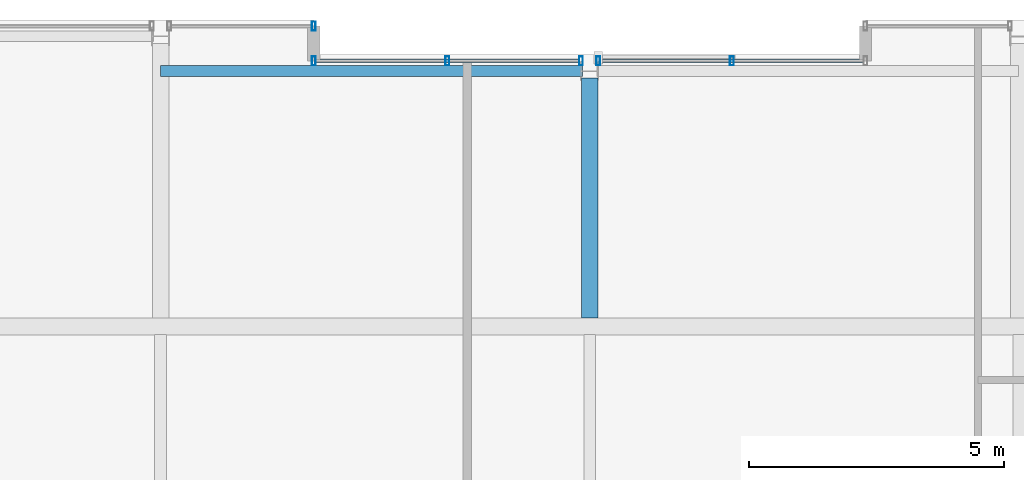
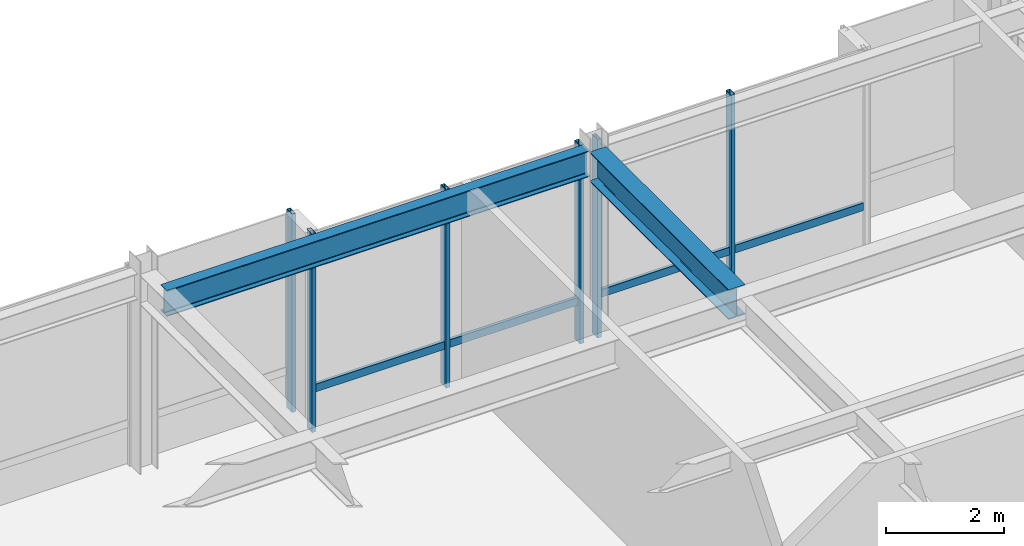
# One storey, part 24 of 34: 8 members, 2 beams, 3 elements without a shape of their own.
"""IFC4 building model written with IfcOpenShell, lengths in metres."""

from ifc_helpers import new_model, si_unit, direction, frame, origin, origin_2d, place, context, subcontext, project, spatial, hollow_rectangle, i_section, extrude, material, layer, layer_set, material_profile, profile_set, type_object, element, aggregate, save


model = new_model("IFC4")

# Units and contexts
model_context = context("Model", 3, precision=1e-05, world=origin(), true_north=direction((0.0, 1.0)))
body_context = subcontext(model_context, "Body", "Model", "MODEL_VIEW")
ifc_project = project(units=[si_unit("LENGTHUNIT", "METRE"), si_unit("AREAUNIT", "SQUARE_METRE"), si_unit("VOLUMEUNIT", "CUBIC_METRE"), si_unit("PLANEANGLEUNIT", "RADIAN"), si_unit("MASSUNIT", "GRAM", prefix="KILO")], contexts=[model_context])

# Site, building, storey
site_placement = place(None, origin())
site = spatial("IfcSite", under=ifc_project, at=site_placement, CompositionType="ELEMENT")
building_placement = place(site_placement, origin())
building = spatial("IfcBuilding", under=site, at=building_placement, Name="Drelvath Grand Hotel", CompositionType="ELEMENT")
storey_placement = place(building_placement, frame((0.0, 0.0, 294.199951171875)))
storey = spatial("IfcBuildingStorey", under=building, at=storey_placement, Name="L77", CompositionType="ELEMENT", Elevation=294.199951171875)

# Curtain wall, member
ifc_material_1 = material(Name="Platinum-Mist Anodised Aluminium Frame", Category="aluminium")
ifc_layer = layer(ifc_material_1, 0.199951171875)
ifc_layer_set = layer_set([ifc_layer], Name="Platinum-Mist Anodised Aluminium Frame")
curtain_wall_type = type_object("IfcCurtainWallType", Name="Stick Curtain Wall CW-05 Platinum Mist High-Rise", PredefinedType="NOTDEFINED", material=ifc_layer_set)
curtain_wall_1_placement = place(storey_placement, origin())
curtain_wall_1 = element("IfcCurtainWall", 1, at=curtain_wall_1_placement, inside=storey, type_object=curtain_wall_type, Name="L77 CW-05 Curtain Wall CW05-L77-NM1", PredefinedType="NOTDEFINED")
ifc_material_profile_1 = material_profile(ifc_material_1, hollow_rectangle(XDim=0.06494140625, YDim=0.159912109375, WallThickness=0.00390625, at=origin_2d()), Name="HSS160X65X4")
ifc_profile_set_1 = profile_set([ifc_material_profile_1], Name="Platinum-Mist Anodised Aluminium Frame")
member_type_1 = type_object("IfcMemberType", Name="Curtain Wall Horizontal Transom CW-05 HSS160X65X4", PredefinedType="USERDEFINED", material=ifc_profile_set_1)
member_1_placement = place(storey_placement, frame((-5.360107421875, 48.39990234375, 0.85009765625), z_axis=(1.0, 0.0, 0.0), x_axis=(0.0, 1.0, 0.0)))
member_1 = element("IfcMember", 2, at=member_1_placement, type_object=member_type_1, Name="CW05-L77-NM1 Sill Transom", ObjectType="TRANSOM", PredefinedType="USERDEFINED", context=body_context, shape_type="SweptSolid", body=[
    extrude(hollow_rectangle(XDim=0.06494140625, YDim=0.159912109375, WallThickness=0.00390625, at=origin_2d()), origin(), (0.0, 0.0, 1.0), 5.14990234375),
])

curtain_wall_2_placement = place(storey_placement, origin())
curtain_wall_2 = element("IfcCurtainWall", 3, at=curtain_wall_2_placement, inside=storey, type_object=curtain_wall_type, Name="L77 CW-05 Curtain Wall CW05-L77-NM2", PredefinedType="NOTDEFINED")
member_2_placement = place(storey_placement, frame((0.210205078125, 48.39990234375, 0.85009765625), z_axis=(1.0, 0.0, 0.0), x_axis=(0.0, 1.0, 0.0)))
member_2 = element("IfcMember", 4, at=member_2_placement, type_object=member_type_1, Name="CW05-L77-NM2 Sill Transom", ObjectType="TRANSOM", PredefinedType="USERDEFINED", context=body_context, shape_type="SweptSolid", body=[
    extrude(hollow_rectangle(XDim=0.06494140625, YDim=0.159912109375, WallThickness=0.00390625, at=origin_2d()), origin(), (0.0, 0.0, 1.0), 5.14990234375),
])

curtain_wall_3_placement = place(storey_placement, origin())
curtain_wall_3 = element("IfcCurtainWall", 5, at=curtain_wall_3_placement, inside=storey, type_object=curtain_wall_type, Name="L77 CW-05 Curtain Wall CW05-L77-NW2", PredefinedType="NOTDEFINED")
ifc_material_profile_2 = material_profile(ifc_material_1, hollow_rectangle(XDim=0.074951171875, YDim=0.179931640625, WallThickness=0.0048828125, at=origin_2d()), Name="HSS180X75X5")
ifc_profile_set_2 = profile_set([ifc_material_profile_2], Name="Platinum-Mist Anodised Aluminium Frame")
member_type_2 = type_object("IfcMemberType", Name="Curtain Wall Vertical Mullion CW-05 HSS180X75X5", PredefinedType="MULLION", material=ifc_profile_set_2)
member_3_placement = place(storey_placement, frame((-5.39990234375, 49.080078125, 0.0), z_axis=(0.0, 0.0, 1.0), x_axis=(1.0, 0.0, 0.0)))
member_3 = element("IfcMember", 6, at=member_3_placement, type_object=member_type_2, Name="CW05-L77-NW2 Mullion 2", PredefinedType="MULLION", context=body_context, shape_type="SweptSolid", body=[
    extrude(hollow_rectangle(XDim=0.074951171875, YDim=0.179931640625, WallThickness=0.0048828125, at=origin_2d()), origin(), (0.0, 0.0, 1.0), 4.10009765625),
])
aggregate(curtain_wall_3, [member_3])

# Member
member_4_placement = place(storey_placement, frame((-5.39990234375, 48.39990234375, 0.0), z_axis=(0.0, 0.0, 1.0), x_axis=(1.0, 0.0, 0.0)))
member_4 = element("IfcMember", 7, at=member_4_placement, type_object=member_type_2, Name="CW05-L77-NM1 Mullion 1", PredefinedType="MULLION", context=body_context, shape_type="SweptSolid", body=[
    extrude(hollow_rectangle(XDim=0.074951171875, YDim=0.179931640625, WallThickness=0.0048828125, at=origin_2d()), origin(), (0.0, 0.0, 1.0), 4.10009765625),
])

member_5_placement = place(storey_placement, frame((-2.78515625, 48.39990234375, 0.0), z_axis=(0.0, 0.0, 1.0), x_axis=(1.0, 0.0, 0.0)))
member_5 = element("IfcMember", 8, at=member_5_placement, type_object=member_type_2, Name="CW05-L77-NM1 Mullion 2", PredefinedType="MULLION", context=body_context, shape_type="SweptSolid", body=[
    extrude(hollow_rectangle(XDim=0.074951171875, YDim=0.179931640625, WallThickness=0.0048828125, at=origin_2d()), origin(), (0.0, 0.0, 1.0), 4.10009765625),
])

member_6_placement = place(storey_placement, frame((-0.170166015625, 48.39990234375, 0.0), z_axis=(0.0, 0.0, 1.0), x_axis=(1.0, 0.0, 0.0)))
member_6 = element("IfcMember", 9, at=member_6_placement, type_object=member_type_2, Name="CW05-L77-NM1 Mullion 3", PredefinedType="MULLION", context=body_context, shape_type="SweptSolid", body=[
    extrude(hollow_rectangle(XDim=0.074951171875, YDim=0.179931640625, WallThickness=0.0048828125, at=origin_2d()), origin(), (0.0, 0.0, 1.0), 4.10009765625),
])

aggregate(curtain_wall_1, [member_4, member_5, member_6, member_1])

member_7_placement = place(storey_placement, frame((0.170166015625, 48.39990234375, 0.0), z_axis=(0.0, 0.0, 1.0), x_axis=(1.0, 0.0, 0.0)))
member_7 = element("IfcMember", 10, at=member_7_placement, type_object=member_type_2, Name="CW05-L77-NM2 Mullion 1", PredefinedType="MULLION", context=body_context, shape_type="SweptSolid", body=[
    extrude(hollow_rectangle(XDim=0.074951171875, YDim=0.179931640625, WallThickness=0.0048828125, at=origin_2d()), origin(), (0.0, 0.0, 1.0), 4.10009765625),
])

member_8_placement = place(storey_placement, frame((2.78515625, 48.39990234375, 0.0), z_axis=(0.0, 0.0, 1.0), x_axis=(1.0, 0.0, 0.0)))
member_8 = element("IfcMember", 11, at=member_8_placement, type_object=member_type_2, Name="CW05-L77-NM2 Mullion 2", PredefinedType="MULLION", context=body_context, shape_type="SweptSolid", body=[
    extrude(hollow_rectangle(XDim=0.074951171875, YDim=0.179931640625, WallThickness=0.0048828125, at=origin_2d()), origin(), (0.0, 0.0, 1.0), 4.10009765625),
])

aggregate(curtain_wall_2, [member_7, member_8, member_2])

# Beams
ifc_material_2 = material(Name="Steel ASTM A992 Gr 50", Category="steel")
ifc_material_profile_3 = material_profile(ifc_material_2, i_section(OverallWidth=0.210205078125, OverallDepth=0.53662109375, WebThickness=0.010986328125, FlangeThickness=0.017333984375, FilletRadius=0.01806640625, at=origin_2d()), Name="W21X68")
ifc_profile_set_3 = profile_set([ifc_material_profile_3], Name="Steel ASTM A992 Gr 50")
beam_type_1 = type_object("IfcBeamType", Name="Perimeter Spandrel Beam W21X68", PredefinedType="SPANDREL", material=ifc_profile_set_3)
beam_1_placement = place(storey_placement, frame((-8.39990234375, 48.199951171875, 3.831787109375), z_axis=(1.0, 0.0, 0.0), x_axis=(0.0, 1.0, 0.0)))
element("IfcBeam", 12, at=beam_1_placement, inside=storey, type_object=beam_type_1, Name="L77 Spandrel North Mid W", PredefinedType="SPANDREL", context=body_context, shape_type="SweptSolid", body=[
    extrude(i_section(OverallWidth=0.210205078125, OverallDepth=0.53662109375, WebThickness=0.010986328125, FlangeThickness=0.017333984375, FilletRadius=0.01806640625, at=origin_2d()), origin(), (0.0, 0.0, 1.0), 8.260009765625),
])
ifc_material_profile_4 = material_profile(ifc_material_2, i_section(OverallWidth=0.323974609375, OverallDepth=0.611083984375, WebThickness=0.0126953125, FlangeThickness=0.01904296875, FilletRadius=0.02197265625, at=origin_2d()), Name="W24X104")
ifc_profile_set_4 = profile_set([ifc_material_profile_4], Name="Steel ASTM A992 Gr 50")
beam_type_2 = type_object("IfcBeamType", Name="Primary Floor Girder W24X104", PredefinedType="BEAM", material=ifc_profile_set_4)
beam_2_placement = place(storey_placement, frame((0.0, 43.362060546875, 3.79443359375), z_axis=(0.0, 1.0, 0.0), x_axis=(-1.0, 0.0, 0.0)))
element("IfcBeam", 13, at=beam_2_placement, inside=storey, type_object=beam_type_2, Name="L77 North Wing Girder 5", PredefinedType="BEAM", context=body_context, shape_type="SweptSolid", body=[
    extrude(i_section(OverallWidth=0.323974609375, OverallDepth=0.611083984375, WebThickness=0.0126953125, FlangeThickness=0.01904296875, FilletRadius=0.02197265625, at=origin_2d()), origin(), (0.0, 0.0, 1.0), 4.697998046875),
])

save(model, "model.ifc")
